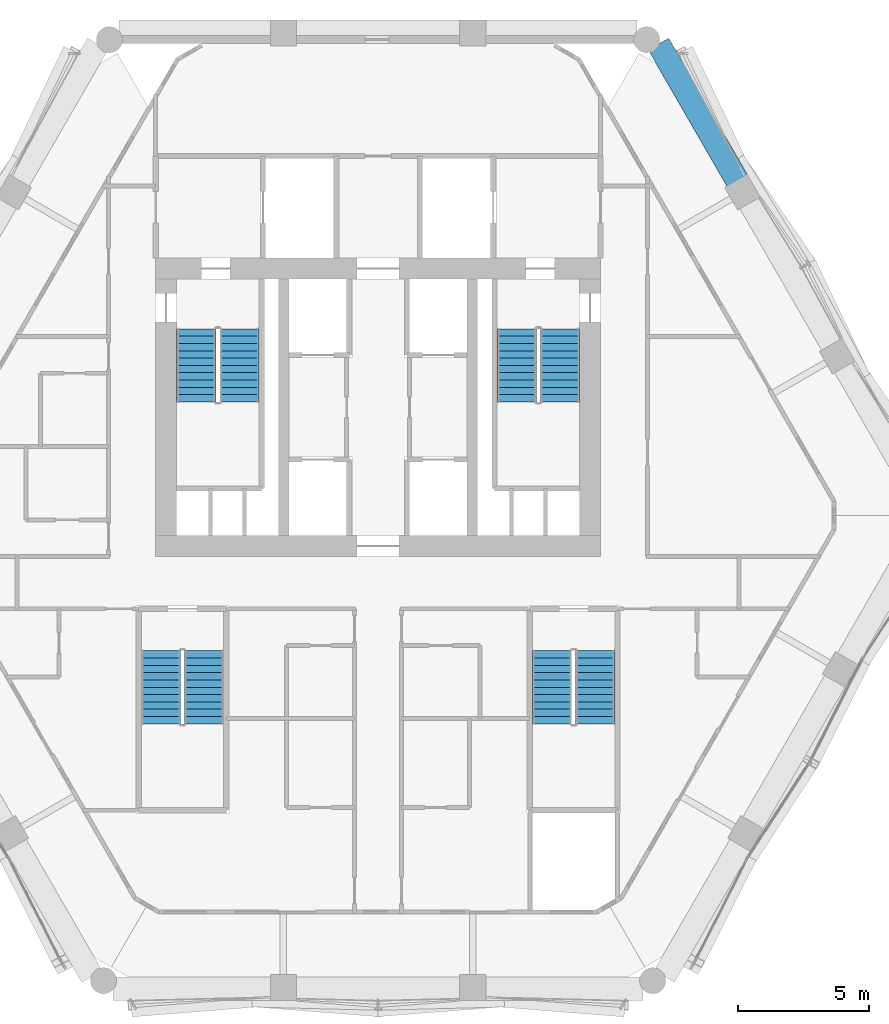
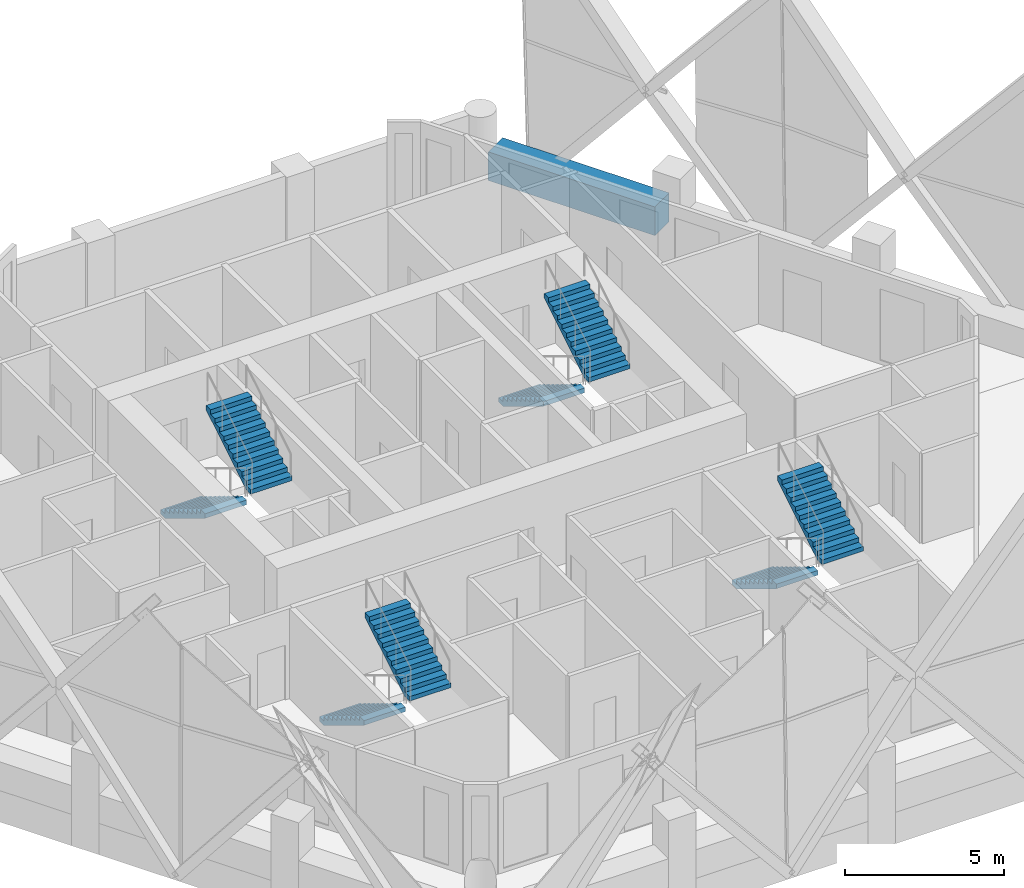
# One storey, part 14 of 19: 8 stair flights, 1 wall, 4 elements without a shape of their own.
"""IFC4 building model written with IfcOpenShell, lengths in metres."""

from ifc_helpers import new_model, si_unit, direction, frame, frame_2d, origin, place, context, subcontext, project, spatial, polyline, rectangle, outline, extrude, material, layer, layer_set, type_object, element, aggregate, save


model = new_model("IFC4")

# Units and contexts
model_context = context("Model", 3, precision=1e-05, world=origin(), true_north=direction((0.0, 1.0)))
body_context = subcontext(model_context, "Body", "Model", "MODEL_VIEW")
ifc_project = project(units=[si_unit("LENGTHUNIT", "METRE"), si_unit("AREAUNIT", "SQUARE_METRE"), si_unit("VOLUMEUNIT", "CUBIC_METRE"), si_unit("PLANEANGLEUNIT", "RADIAN"), si_unit("MASSUNIT", "GRAM", prefix="KILO")], contexts=[model_context])

# Site, building, storey
site_placement = place(None, origin())
site = spatial("IfcSite", under=ifc_project, at=site_placement, CompositionType="ELEMENT")
building_placement = place(site_placement, origin())
building = spatial("IfcBuilding", under=site, at=building_placement, Name="Ostrander Bayou Hotel Tower", CompositionType="ELEMENT")
storey_placement = place(building_placement, frame((0.0, 0.0, 164.5)))
storey = spatial("IfcBuildingStorey", under=building, at=storey_placement, Name="L40", CompositionType="ELEMENT", Elevation=164.5)

# Wall
ifc_material_1 = material(Name="Concrete f'c 40 MPa", Category="concrete")
ifc_layer = layer(ifc_material_1, 0.89990234375)
ifc_layer_set = layer_set([ifc_layer], Name="PA1 stone-faced parapet 900 mm")
wall_type = type_object("IfcWallType", Name="PA1 stone-faced parapet 900 mm", PredefinedType="PARAPET", material=ifc_layer_set)
wall_placement = place(storey_placement, frame((13.734130859375, 12.64990234375, 0.0), z_axis=(0.0, 0.0, 1.0), x_axis=(-0.499995386674, 0.866028067273, 0.0)))
element("IfcWall", 1, at=wall_placement, inside=storey, type_object=wall_type, Name="PA1 L40 NE-3", PredefinedType="PARAPET", context=body_context, shape_type="SweptSolid", body=[
    extrude(rectangle(XDim=6.03955078125, YDim=0.89990234375, at=frame_2d((3.019775390625, 0.0))), origin(), (0.0, 0.0, 1.0), 1.10009765625),
])

# Stair, stair flights
ifc_material_2 = material(Name="Concrete f'c 45 MPa", Category="concrete")
stair_type = type_object("IfcStairType", Name="ST1 exit stair 1500 mm f'c 45 MPa", PredefinedType="HALF_TURN_STAIR", material=ifc_material_2)
stair_1_placement = place(storey_placement, origin())
stair_1 = element("IfcStair", 2, at=stair_1_placement, inside=storey, type_object=stair_type, Name="L40 exit stair A", PredefinedType="HALF_TURN_STAIR")
ifc_material_3 = material(Name="Concrete f'c 45 MPa", Category="concrete")
stair_flight_type = type_object("IfcStairFlightType", Name="SF1 stair flight 1500 mm f'c 45 MPa", PredefinedType="STRAIGHT", material=ifc_material_3)
stair_flight_1_placement = place(storey_placement, frame((-6.949951171875, 7.0, 0.0), z_axis=(0.0, 0.0, 1.0), x_axis=(0.0, -1.0, 0.0)))
stair_flight_1 = element("IfcStairFlight", 3, at=stair_flight_1_placement, type_object=stair_flight_type, Name="STA flight 1", NumberOfRisers=11, NumberOfTreads=10, PredefinedType="STRAIGHT", RiserHeight=0.170454545, TreadLength=0.28, context=body_context, shape_type="SweptSolid", body=[
    extrude(outline(polyline([(0.0, 0.0), (0.0, 0.17041015625), (0.280029296875, 0.17041015625), (0.280029296875, 0.3408203125), (0.56005859375, 0.3408203125), (0.56005859375, 0.511474609375), (0.840087890625, 0.511474609375), (0.840087890625, 0.681884765625), (1.1201171875, 0.681884765625), (1.1201171875, 0.852294921875), (1.39990234375, 0.852294921875), (1.39990234375, 1.022705078125), (1.679931640625, 1.022705078125), (1.679931640625, 1.193115234375), (1.9599609375, 1.193115234375), (1.9599609375, 1.363525390625), (2.239990234375, 1.363525390625), (2.239990234375, 1.5341796875), (2.52001953125, 1.5341796875), (2.52001953125, 1.70458984375), (2.800048828125, 1.70458984375), (2.800048828125, 1.875), (2.800048828125, 1.529052734375), (0.288330078125, 0.0), (0.0, 0.0)])), frame((0.0, 0.75, 0.0), z_axis=(0.0, -1.0, 0.0), x_axis=(1.0, 0.0, 0.0)), (0.0, 0.0, 1.0), 1.5),
])
stair_flight_2_placement = place(storey_placement, frame((-5.300048828125, 4.199951171875, 1.875), z_axis=(0.0, 0.0, 1.0), x_axis=(0.0, 1.0, 0.0)))
stair_flight_2 = element("IfcStairFlight", 4, at=stair_flight_2_placement, type_object=stair_flight_type, Name="STA flight 2", NumberOfRisers=11, NumberOfTreads=10, PredefinedType="STRAIGHT", RiserHeight=0.170454545, TreadLength=0.28, context=body_context, shape_type="SweptSolid", body=[
    extrude(outline(polyline([(0.0, 0.0), (0.0, 0.17041015625), (0.280029296875, 0.17041015625), (0.280029296875, 0.3408203125), (0.56005859375, 0.3408203125), (0.56005859375, 0.511474609375), (0.840087890625, 0.511474609375), (0.840087890625, 0.681884765625), (1.1201171875, 0.681884765625), (1.1201171875, 0.852294921875), (1.39990234375, 0.852294921875), (1.39990234375, 1.022705078125), (1.679931640625, 1.022705078125), (1.679931640625, 1.193115234375), (1.9599609375, 1.193115234375), (1.9599609375, 1.363525390625), (2.239990234375, 1.363525390625), (2.239990234375, 1.5341796875), (2.52001953125, 1.5341796875), (2.52001953125, 1.70458984375), (2.800048828125, 1.70458984375), (2.800048828125, 1.875), (2.800048828125, 1.529052734375), (0.288330078125, 0.0), (0.0, 0.0)])), frame((0.0, 0.75, 0.0), z_axis=(0.0, -1.0, 0.0), x_axis=(1.0, 0.0, 0.0)), (0.0, 0.0, 1.0), 1.5),
])
aggregate(stair_1, [stair_flight_1, stair_flight_2])

stair_2_placement = place(storey_placement, origin())
stair_2 = element("IfcStair", 5, at=stair_2_placement, inside=storey, type_object=stair_type, Name="L40 exit stair B", PredefinedType="HALF_TURN_STAIR")
stair_flight_3_placement = place(storey_placement, frame((5.300048828125, 7.0, 0.0), z_axis=(0.0, 0.0, 1.0), x_axis=(0.0, -1.0, 0.0)))
stair_flight_3 = element("IfcStairFlight", 6, at=stair_flight_3_placement, type_object=stair_flight_type, Name="STB flight 1", NumberOfRisers=11, NumberOfTreads=10, PredefinedType="STRAIGHT", RiserHeight=0.170454545, TreadLength=0.28, context=body_context, shape_type="SweptSolid", body=[
    extrude(outline(polyline([(0.0, 0.0), (0.0, 0.17041015625), (0.280029296875, 0.17041015625), (0.280029296875, 0.3408203125), (0.56005859375, 0.3408203125), (0.56005859375, 0.511474609375), (0.840087890625, 0.511474609375), (0.840087890625, 0.681884765625), (1.1201171875, 0.681884765625), (1.1201171875, 0.852294921875), (1.39990234375, 0.852294921875), (1.39990234375, 1.022705078125), (1.679931640625, 1.022705078125), (1.679931640625, 1.193115234375), (1.9599609375, 1.193115234375), (1.9599609375, 1.363525390625), (2.239990234375, 1.363525390625), (2.239990234375, 1.5341796875), (2.52001953125, 1.5341796875), (2.52001953125, 1.70458984375), (2.800048828125, 1.70458984375), (2.800048828125, 1.875), (2.800048828125, 1.529052734375), (0.288330078125, 0.0), (0.0, 0.0)])), frame((0.0, 0.75, 0.0), z_axis=(0.0, -1.0, 0.0), x_axis=(1.0, 0.0, 0.0)), (0.0, 0.0, 1.0), 1.5),
])
stair_flight_4_placement = place(storey_placement, frame((6.949951171875, 4.199951171875, 1.875), z_axis=(0.0, 0.0, 1.0), x_axis=(0.0, 1.0, 0.0)))
stair_flight_4 = element("IfcStairFlight", 7, at=stair_flight_4_placement, type_object=stair_flight_type, Name="STB flight 2", NumberOfRisers=11, NumberOfTreads=10, PredefinedType="STRAIGHT", RiserHeight=0.170454545, TreadLength=0.28, context=body_context, shape_type="SweptSolid", body=[
    extrude(outline(polyline([(0.0, 0.0), (0.0, 0.17041015625), (0.280029296875, 0.17041015625), (0.280029296875, 0.3408203125), (0.56005859375, 0.3408203125), (0.56005859375, 0.511474609375), (0.840087890625, 0.511474609375), (0.840087890625, 0.681884765625), (1.1201171875, 0.681884765625), (1.1201171875, 0.852294921875), (1.39990234375, 0.852294921875), (1.39990234375, 1.022705078125), (1.679931640625, 1.022705078125), (1.679931640625, 1.193115234375), (1.9599609375, 1.193115234375), (1.9599609375, 1.363525390625), (2.239990234375, 1.363525390625), (2.239990234375, 1.5341796875), (2.52001953125, 1.5341796875), (2.52001953125, 1.70458984375), (2.800048828125, 1.70458984375), (2.800048828125, 1.875), (2.800048828125, 1.529052734375), (0.288330078125, 0.0), (0.0, 0.0)])), frame((0.0, 0.75, 0.0), z_axis=(0.0, -1.0, 0.0), x_axis=(1.0, 0.0, 0.0)), (0.0, 0.0, 1.0), 1.5),
])
aggregate(stair_2, [stair_flight_3, stair_flight_4])

stair_3_placement = place(storey_placement, origin())
stair_3 = element("IfcStair", 8, at=stair_3_placement, inside=storey, type_object=stair_type, Name="L40 exit stair C", PredefinedType="HALF_TURN_STAIR")
stair_flight_5_placement = place(storey_placement, frame((6.64990234375, -5.300048828125, 0.0), z_axis=(0.0, 0.0, 1.0), x_axis=(0.0, -1.0, 0.0)))
stair_flight_5 = element("IfcStairFlight", 9, at=stair_flight_5_placement, type_object=stair_flight_type, Name="STC flight 1", NumberOfRisers=11, NumberOfTreads=10, PredefinedType="STRAIGHT", RiserHeight=0.170454545, TreadLength=0.28, context=body_context, shape_type="SweptSolid", body=[
    extrude(outline(polyline([(0.0, 0.0), (0.0, 0.17041015625), (0.280029296875, 0.17041015625), (0.280029296875, 0.3408203125), (0.56005859375, 0.3408203125), (0.56005859375, 0.511474609375), (0.840087890625, 0.511474609375), (0.840087890625, 0.681884765625), (1.1201171875, 0.681884765625), (1.1201171875, 0.852294921875), (1.39990234375, 0.852294921875), (1.39990234375, 1.022705078125), (1.679931640625, 1.022705078125), (1.679931640625, 1.193115234375), (1.9599609375, 1.193115234375), (1.9599609375, 1.363525390625), (2.239990234375, 1.363525390625), (2.239990234375, 1.5341796875), (2.52001953125, 1.5341796875), (2.52001953125, 1.70458984375), (2.800048828125, 1.70458984375), (2.800048828125, 1.875), (2.800048828125, 1.529052734375), (0.288330078125, 0.0), (0.0, 0.0)])), frame((0.0, 0.75, 0.0), z_axis=(0.0, -1.0, 0.0), x_axis=(1.0, 0.0, 0.0)), (0.0, 0.0, 1.0), 1.5),
])
stair_flight_6_placement = place(storey_placement, frame((8.300048828125, -8.10009765625, 1.875), z_axis=(0.0, 0.0, 1.0), x_axis=(0.0, 1.0, 0.0)))
stair_flight_6 = element("IfcStairFlight", 10, at=stair_flight_6_placement, type_object=stair_flight_type, Name="STC flight 2", NumberOfRisers=11, NumberOfTreads=10, PredefinedType="STRAIGHT", RiserHeight=0.170454545, TreadLength=0.28, context=body_context, shape_type="SweptSolid", body=[
    extrude(outline(polyline([(0.0, 0.0), (0.0, 0.17041015625), (0.280029296875, 0.17041015625), (0.280029296875, 0.3408203125), (0.56005859375, 0.3408203125), (0.56005859375, 0.511474609375), (0.840087890625, 0.511474609375), (0.840087890625, 0.681884765625), (1.1201171875, 0.681884765625), (1.1201171875, 0.852294921875), (1.39990234375, 0.852294921875), (1.39990234375, 1.022705078125), (1.679931640625, 1.022705078125), (1.679931640625, 1.193115234375), (1.9599609375, 1.193115234375), (1.9599609375, 1.363525390625), (2.239990234375, 1.363525390625), (2.239990234375, 1.5341796875), (2.52001953125, 1.5341796875), (2.52001953125, 1.70458984375), (2.800048828125, 1.70458984375), (2.800048828125, 1.875), (2.800048828125, 1.529052734375), (0.288330078125, 0.0), (0.0, 0.0)])), frame((0.0, 0.75, 0.0), z_axis=(0.0, -1.0, 0.0), x_axis=(1.0, 0.0, 0.0)), (0.0, 0.0, 1.0), 1.5),
])
aggregate(stair_3, [stair_flight_5, stair_flight_6])

stair_4_placement = place(storey_placement, origin())
stair_4 = element("IfcStair", 11, at=stair_4_placement, inside=storey, type_object=stair_type, Name="L40 exit stair D", PredefinedType="HALF_TURN_STAIR")
stair_flight_7_placement = place(storey_placement, frame((-8.300048828125, -5.300048828125, 0.0), z_axis=(0.0, 0.0, 1.0), x_axis=(0.0, -1.0, 0.0)))
stair_flight_7 = element("IfcStairFlight", 12, at=stair_flight_7_placement, type_object=stair_flight_type, Name="STD flight 1", NumberOfRisers=11, NumberOfTreads=10, PredefinedType="STRAIGHT", RiserHeight=0.170454545, TreadLength=0.28, context=body_context, shape_type="SweptSolid", body=[
    extrude(outline(polyline([(0.0, 0.0), (0.0, 0.17041015625), (0.280029296875, 0.17041015625), (0.280029296875, 0.3408203125), (0.56005859375, 0.3408203125), (0.56005859375, 0.511474609375), (0.840087890625, 0.511474609375), (0.840087890625, 0.681884765625), (1.1201171875, 0.681884765625), (1.1201171875, 0.852294921875), (1.39990234375, 0.852294921875), (1.39990234375, 1.022705078125), (1.679931640625, 1.022705078125), (1.679931640625, 1.193115234375), (1.9599609375, 1.193115234375), (1.9599609375, 1.363525390625), (2.239990234375, 1.363525390625), (2.239990234375, 1.5341796875), (2.52001953125, 1.5341796875), (2.52001953125, 1.70458984375), (2.800048828125, 1.70458984375), (2.800048828125, 1.875), (2.800048828125, 1.529052734375), (0.288330078125, 0.0), (0.0, 0.0)])), frame((0.0, 0.75, 0.0), z_axis=(0.0, -1.0, 0.0), x_axis=(1.0, 0.0, 0.0)), (0.0, 0.0, 1.0), 1.5),
])
stair_flight_8_placement = place(storey_placement, frame((-6.64990234375, -8.10009765625, 1.875), z_axis=(0.0, 0.0, 1.0), x_axis=(0.0, 1.0, 0.0)))
stair_flight_8 = element("IfcStairFlight", 13, at=stair_flight_8_placement, type_object=stair_flight_type, Name="STD flight 2", NumberOfRisers=11, NumberOfTreads=10, PredefinedType="STRAIGHT", RiserHeight=0.170454545, TreadLength=0.28, context=body_context, shape_type="SweptSolid", body=[
    extrude(outline(polyline([(0.0, 0.0), (0.0, 0.17041015625), (0.280029296875, 0.17041015625), (0.280029296875, 0.3408203125), (0.56005859375, 0.3408203125), (0.56005859375, 0.511474609375), (0.840087890625, 0.511474609375), (0.840087890625, 0.681884765625), (1.1201171875, 0.681884765625), (1.1201171875, 0.852294921875), (1.39990234375, 0.852294921875), (1.39990234375, 1.022705078125), (1.679931640625, 1.022705078125), (1.679931640625, 1.193115234375), (1.9599609375, 1.193115234375), (1.9599609375, 1.363525390625), (2.239990234375, 1.363525390625), (2.239990234375, 1.5341796875), (2.52001953125, 1.5341796875), (2.52001953125, 1.70458984375), (2.800048828125, 1.70458984375), (2.800048828125, 1.875), (2.800048828125, 1.529052734375), (0.288330078125, 0.0), (0.0, 0.0)])), frame((0.0, 0.75, 0.0), z_axis=(0.0, -1.0, 0.0), x_axis=(1.0, 0.0, 0.0)), (0.0, 0.0, 1.0), 1.5),
])
aggregate(stair_4, [stair_flight_7, stair_flight_8])

save(model, "model.ifc")
